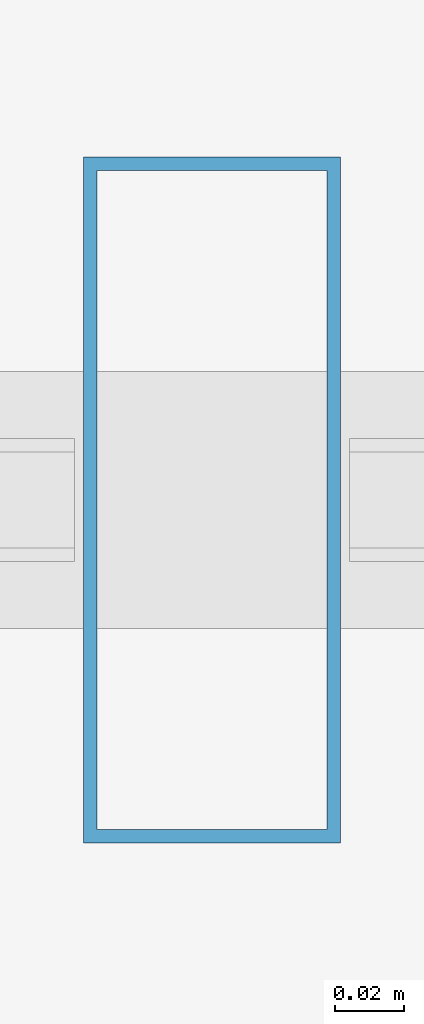
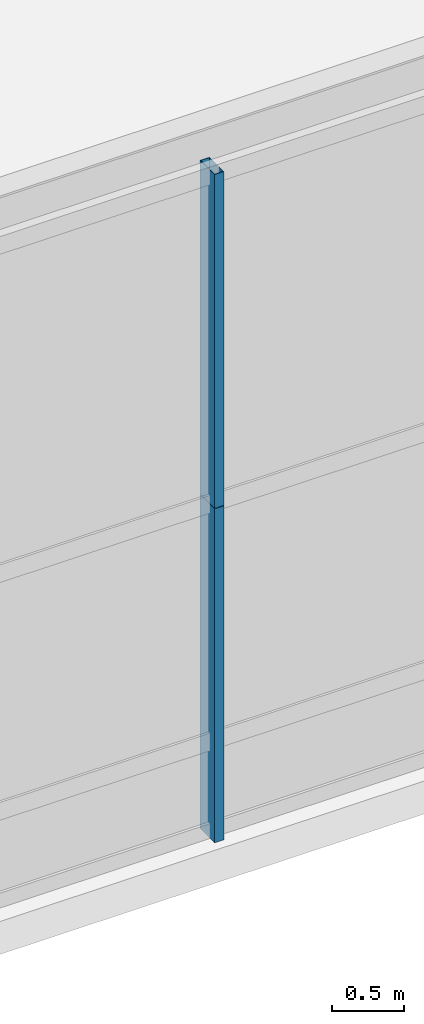
# One storey, part 7 of 39: 2 members, 1 element without a shape of its own.
"""IFC4 building model written with IfcOpenShell, lengths in metres."""

from ifc_helpers import new_model, si_unit, direction, frame, origin, origin_2d, place, context, subcontext, project, spatial, hollow_rectangle, extrude, source, transform, mapped, material, layer, layer_set, material_profile, profile_set, type_object, element, aggregate, save


model = new_model("IFC4")

# Units and contexts
model_context = context("Model", 3, precision=1e-05, world=origin(), true_north=direction((0.0, 1.0)))
body_context = subcontext(model_context, "Body", "Model", "MODEL_VIEW")
ifc_project = project(units=[si_unit("LENGTHUNIT", "METRE"), si_unit("AREAUNIT", "SQUARE_METRE"), si_unit("VOLUMEUNIT", "CUBIC_METRE"), si_unit("PLANEANGLEUNIT", "RADIAN"), si_unit("MASSUNIT", "GRAM", prefix="KILO"), si_unit("THERMODYNAMICTEMPERATUREUNIT", "KELVIN"), si_unit("POWERUNIT", "WATT")], contexts=[model_context])

# Site, building, storey
site_placement = place(None, origin())
site = spatial("IfcSite", under=ifc_project, at=site_placement, CompositionType="ELEMENT")
building_placement = place(site_placement, origin())
building = spatial("IfcBuilding", under=site, at=building_placement, Name="Yuzanri Waterfront Tower", CompositionType="ELEMENT")
storey_placement = place(building_placement, frame((0.0, 0.0, 19.800048828125)))
storey = spatial("IfcBuildingStorey", under=building, at=storey_placement, Name="L05", CompositionType="ELEMENT", Elevation=19.800048828125)

# Curtain wall, members
ifc_material_1 = material(Name="Anodized Architectural Bronze", Category="metal")
ifc_layer = layer(ifc_material_1, 0.159912109375)
ifc_layer_set = layer_set([ifc_layer], Name="Anodized Architectural Bronze")
curtain_wall_type = type_object("IfcCurtainWallType", Name="Anodized Bronze Podium Waterfront Double-Height Unitized Curtain Wall 8400", PredefinedType="NOTDEFINED", material=ifc_layer_set)
curtain_wall_placement = place(storey_placement, origin())
curtain_wall = element("IfcCurtainWall", 1, at=curtain_wall_placement, inside=storey, type_object=curtain_wall_type, Name="L05 Curtain Wall CW-L05-S1", PredefinedType="NOTDEFINED")
ifc_material_2 = material(Name="Anodized Architectural Bronze", Category="metal")
ifc_material_profile = material_profile(ifc_material_2, hollow_rectangle(XDim=0.074951171875, YDim=0.199951171875, WallThickness=0.00390625, at=origin_2d()), Name="CWM 75x200")
ifc_profile_set = profile_set([ifc_material_profile], Name="Anodized Architectural Bronze")
member_type = type_object("IfcMemberType", Name="Anodized Bronze Primary Curtain-Wall Mullion 75x200", PredefinedType="MULLION", material=ifc_profile_set)
shared_shape = source(origin(), body_context, "Body", "SweptSolid", [
    extrude(hollow_rectangle(XDim=0.074951171875, YDim=0.199951171875, WallThickness=0.00390625, at=origin_2d()), origin(), (0.0, 0.0, 1.0), 2.837890625),
])
member_1_placement = place(storey_placement, frame((26.25, 1.97998046875, 0.0), z_axis=(0.0, 0.0, 1.0), x_axis=(1.0, 0.0, 0.0)))
member_1 = element("IfcMember", 2, at=member_1_placement, type_object=member_type, Name="CW-L05-S1 Lower Mullion 01", PredefinedType="MULLION", context=body_context, shape_type="MappedRepresentation", body=[
    mapped(shared_shape, transform((0.0, 0.0, 0.0), scale=1.0)),
])
member_2_placement = place(storey_placement, frame((26.25, 1.97998046875, 2.842041015625), z_axis=(0.0, 0.0, 1.0), x_axis=(1.0, 0.0, 0.0)))
member_2 = element("IfcMember", 3, at=member_2_placement, type_object=member_type, Name="CW-L05-S1 Upper Mullion 01", PredefinedType="MULLION", context=body_context, shape_type="MappedRepresentation", body=[
    mapped(shared_shape, transform((0.0, 0.0, 0.0), scale=1.0)),
])
aggregate(curtain_wall, [member_1, member_2])

save(model, "model.ifc")
